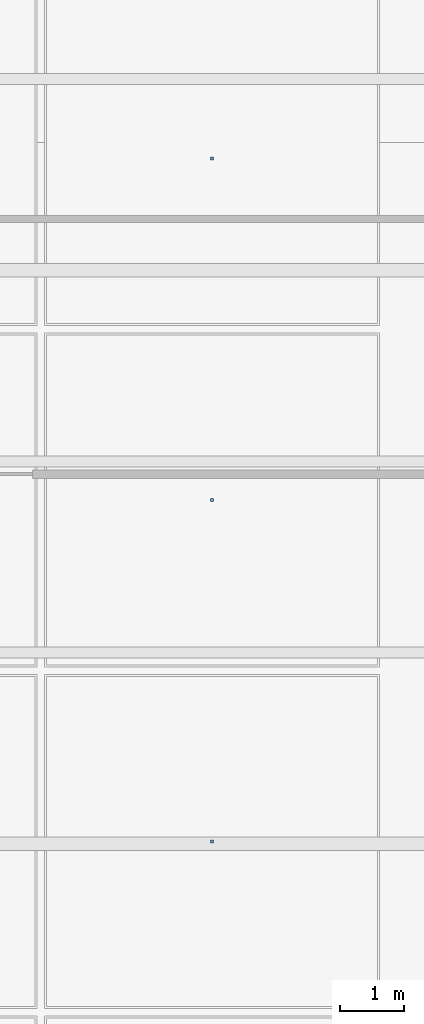
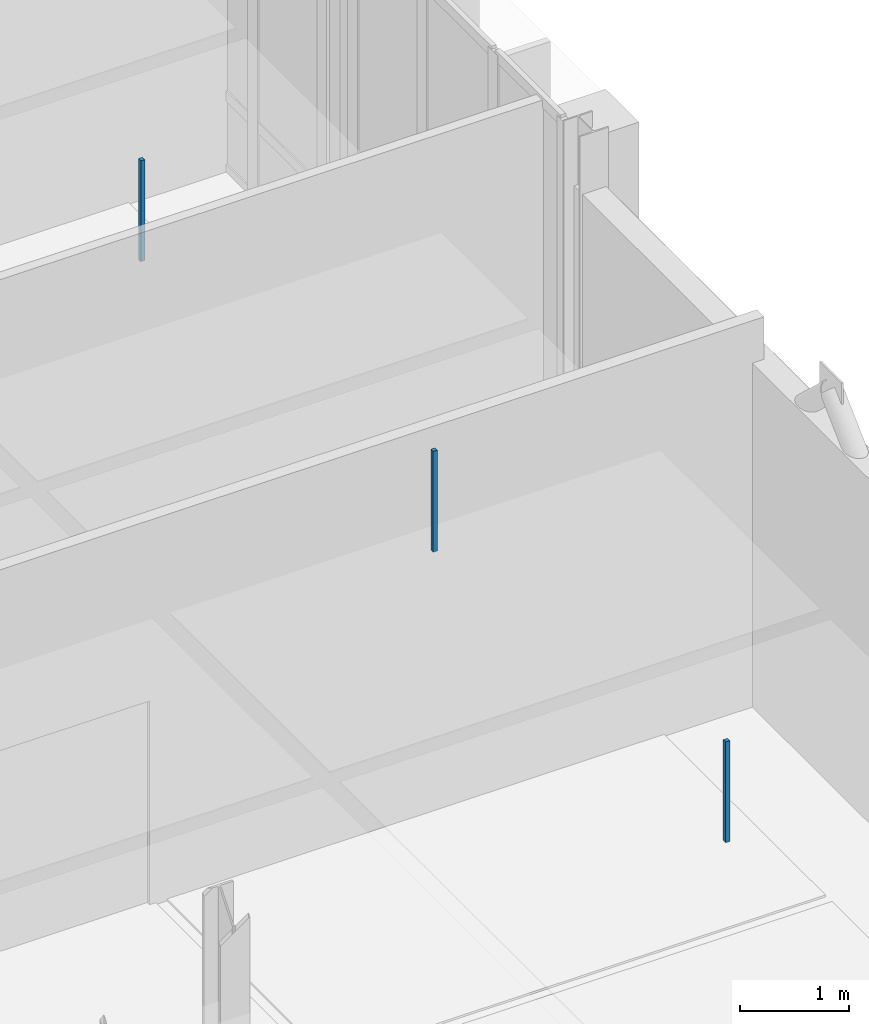
# One storey, part 75 of 89: 3 discrete accessories.
"""IFC4 building model written with IfcOpenShell, lengths in metres."""

from ifc_helpers import new_model, si_unit, direction, frame, origin, origin_2d, place, context, subcontext, project, spatial, rectangle, extrude, material, type_object, element, save


model = new_model("IFC4")

# Units and contexts
model_context = context("Model", 3, precision=1e-05, world=origin(), true_north=direction((0.0, 1.0)))
body_context = subcontext(model_context, "Body", "Model", "MODEL_VIEW")
ifc_project = project(units=[si_unit("LENGTHUNIT", "METRE"), si_unit("AREAUNIT", "SQUARE_METRE"), si_unit("VOLUMEUNIT", "CUBIC_METRE"), si_unit("PLANEANGLEUNIT", "RADIAN"), si_unit("MASSUNIT", "GRAM", prefix="KILO"), si_unit("THERMODYNAMICTEMPERATUREUNIT", "KELVIN"), si_unit("POWERUNIT", "WATT")], contexts=[model_context])

# Site, building, storey
site_placement = place(None, origin())
site = spatial("IfcSite", under=ifc_project, at=site_placement, CompositionType="ELEMENT")
building_placement = place(site_placement, origin())
building = spatial("IfcBuilding", under=site, at=building_placement, Name="Tallowbark Science Centre", CompositionType="ELEMENT")
storey_placement = place(building_placement, frame((0.0, 0.0, 14.39990234375)))
storey = spatial("IfcBuildingStorey", under=building, at=storey_placement, Name="L03", CompositionType="ELEMENT", Elevation=14.39990234375)

# Discrete accessories
ifc_material = material(Name="Galvanised Steel Grade C350L0 (350 MPa)", Category="steel")
discrete_accessory_type = type_object("IfcDiscreteAccessoryType", Name="ACC-CLG-HNG", PredefinedType="BRACKET", material=ifc_material)
for number, where, z_axis, x_axis, name in (
    (1, (153.8125, 81.03564453125, 3.2060546875), (0.0, 0.0, 1.0), (1.0, 0.0, 0.0), "Ceiling Hanger Bracket L03-1062"),
    (2, (153.8125, 86.392822265625, 3.2060546875), (0.0, 0.0, 1.0), (1.0, 0.0, 0.0), "Ceiling Hanger Bracket L03-1063"),
    (3, (153.8125, 91.75, 3.2060546875), (0.0, 0.0, 1.0), (1.0, 0.0, 0.0), "Ceiling Hanger Bracket L03-1064"),
):
    element("IfcDiscreteAccessory", number, at=place(storey_placement, frame(where, z_axis=z_axis, x_axis=x_axis)), inside=storey, type_object=discrete_accessory_type, Name=name, PredefinedType="BRACKET", context=body_context, shape_type="SweptSolid", body=[
        extrude(rectangle(XDim=0.044921875, YDim=0.044921875, at=origin_2d()), origin(), (0.0, 0.0, 1.0), 1.126953125),
    ])

save(model, "model.ifc")
